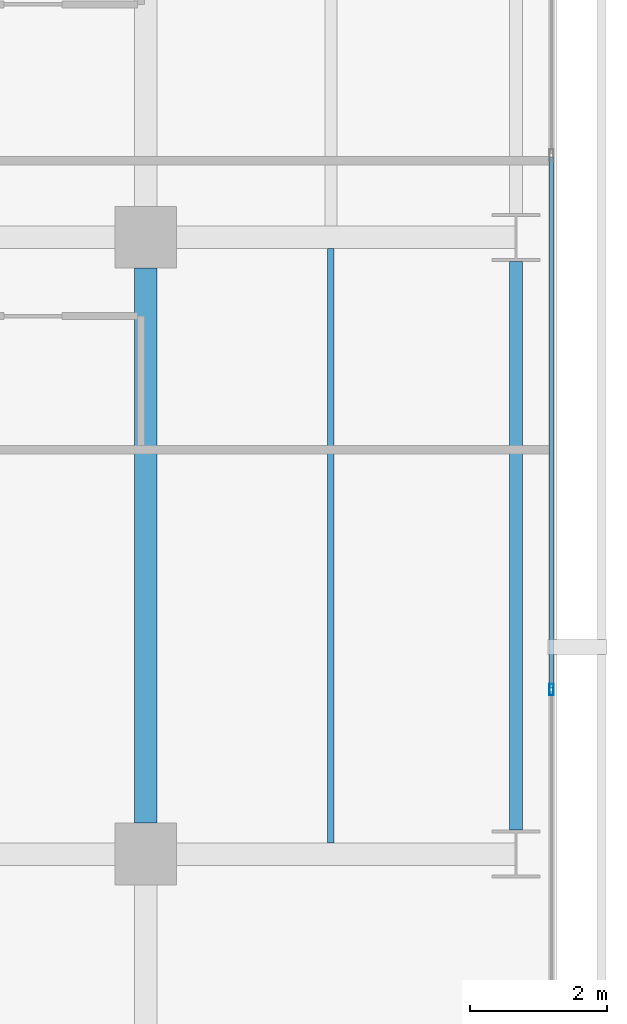
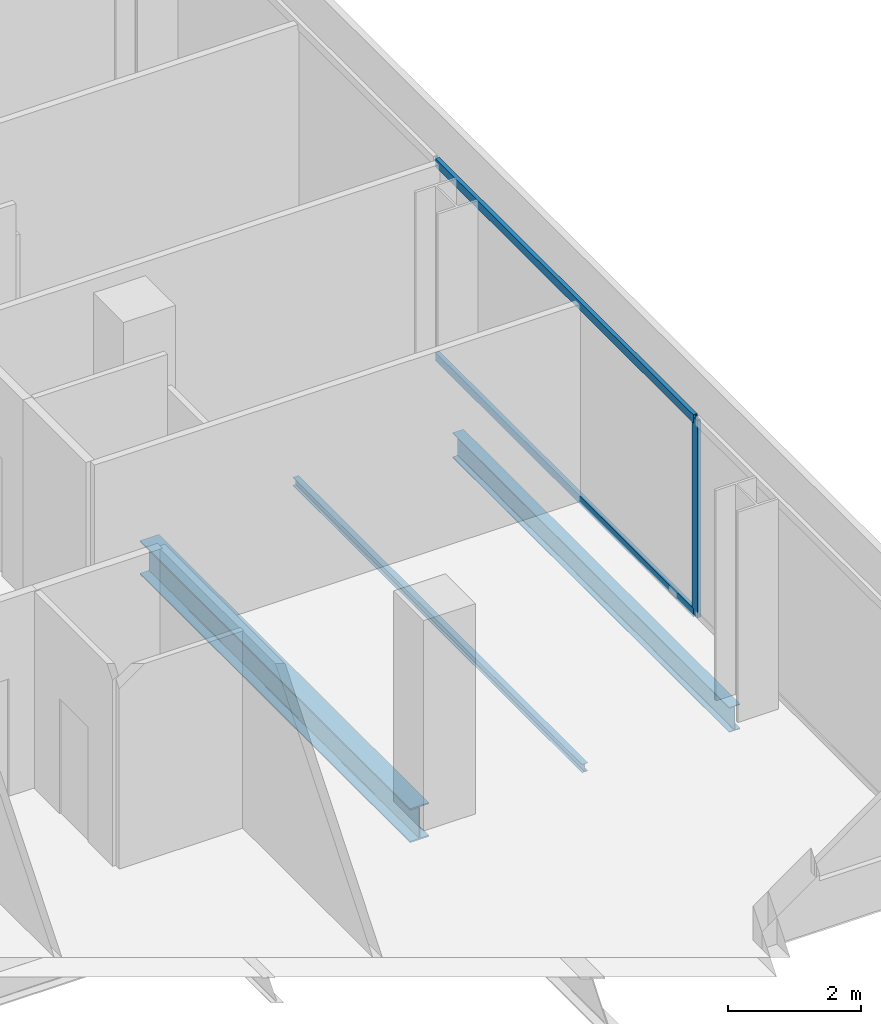
# One storey, part 17 of 40: 3 beams, 3 members, 1 element without a shape of its own.
"""IFC4 building model written with IfcOpenShell, lengths in metres."""

from ifc_helpers import new_model, si_unit, direction, frame, origin, origin_2d, place, context, subcontext, project, spatial, hollow_rectangle, i_section, extrude, material, layer, layer_set, material_profile, profile_set, type_object, element, aggregate, save


model = new_model("IFC4")

# Units and contexts
model_context = context("Model", 3, precision=1e-05, world=origin(), true_north=direction((0.0, 1.0)))
body_context = subcontext(model_context, "Body", "Model", "MODEL_VIEW")
ifc_project = project(units=[si_unit("LENGTHUNIT", "METRE"), si_unit("AREAUNIT", "SQUARE_METRE"), si_unit("VOLUMEUNIT", "CUBIC_METRE"), si_unit("PLANEANGLEUNIT", "RADIAN"), si_unit("MASSUNIT", "GRAM", prefix="KILO")], contexts=[model_context])

# Site, building, storey
site_placement = place(None, origin())
site = spatial("IfcSite", under=ifc_project, at=site_placement, CompositionType="ELEMENT")
building_placement = place(site_placement, origin())
building = spatial("IfcBuilding", under=site, at=building_placement, Name="Maruvema Waterfront Hotel and Observation Tower", CompositionType="ELEMENT")
storey_placement = place(building_placement, frame((0.0, 0.0, 38.5)))
storey = spatial("IfcBuildingStorey", under=building, at=storey_placement, Name="L08", CompositionType="ELEMENT", Elevation=38.5)

# Curtain wall, members
ifc_material_1 = material(Name="Anodised bronze aluminium and solar-control low-E IGU", Category="aluminium")
ifc_layer = layer(ifc_material_1, 0.159912109375, Name="Zone 1 Bronze Inner Thermal Curtain Wall System CW-02")
ifc_layer_set = layer_set([ifc_layer], Name="Anodised bronze aluminium and solar-control low-E IGU")
curtain_wall_type = type_object("IfcCurtainWallType", Name="Zone 1 Bronze Inner Thermal Curtain Wall System CW-02", PredefinedType="USERDEFINED", material=ifc_layer_set)
curtain_wall_placement = place(storey_placement, origin())
curtain_wall = element("IfcCurtainWall", 1, at=curtain_wall_placement, inside=storey, type_object=curtain_wall_type, Name="L08 Curtain Wall CW-L08-E", ObjectType="UNITISED CURTAIN WALL", PredefinedType="USERDEFINED")
ifc_material_2 = material(Name="Anodised architectural bronze aluminium", Category="aluminium")
ifc_material_profile_1 = material_profile(ifc_material_2, hollow_rectangle(XDim=0.070068359375, YDim=0.14990234375, WallThickness=0.00390625, at=origin_2d()), Name="ALU-T70x150")
ifc_profile_set_1 = profile_set([ifc_material_profile_1], Name="Anodised architectural bronze aluminium")
member_type_1 = type_object("IfcMemberType", Name="Curtain Wall Horizontal Transom ALU-T70x150", PredefinedType="USERDEFINED", material=ifc_profile_set_1)
member_1_placement = place(storey_placement, frame((64.719970703125, 11.429931640625, 0.030029296875), z_axis=(0.0, 1.0, 0.0), x_axis=(-1.0, 0.0, 0.0)))
member_1 = element("IfcMember", 2, at=member_1_placement, type_object=member_type_1, Name="CW-02 transom 2.1", ObjectType="TRANSOM", PredefinedType="USERDEFINED", context=body_context, shape_type="SweptSolid", body=[
    extrude(hollow_rectangle(XDim=0.070068359375, YDim=0.14990234375, WallThickness=0.00390625, at=origin_2d()), origin(), (0.0, 0.0, 1.0), 7.739990234375),
])
member_2_placement = place(storey_placement, frame((64.719970703125, 11.429931640625, 3.580078125), z_axis=(0.0, 1.0, 0.0), x_axis=(-1.0, 0.0, 0.0)))
member_2 = element("IfcMember", 3, at=member_2_placement, type_object=member_type_1, Name="CW-02 transom 2.2", ObjectType="TRANSOM", PredefinedType="USERDEFINED", context=body_context, shape_type="SweptSolid", body=[
    extrude(hollow_rectangle(XDim=0.070068359375, YDim=0.14990234375, WallThickness=0.00390625, at=origin_2d()), origin(), (0.0, 0.0, 1.0), 7.739990234375),
])
ifc_material_3 = material(Name="Anodised architectural bronze aluminium", Category="aluminium")
ifc_material_profile_2 = material_profile(ifc_material_3, hollow_rectangle(XDim=0.06494140625, YDim=0.1650390625, WallThickness=0.00390625, at=origin_2d()), Name="ALU-M65x165")
ifc_profile_set_2 = profile_set([ifc_material_profile_2], Name="Anodised architectural bronze aluminium")
member_type_2 = type_object("IfcMemberType", Name="Curtain Wall Primary Mullion ALU-M65x165", PredefinedType="MULLION", material=ifc_profile_set_2)
member_3_placement = place(storey_placement, frame((64.719970703125, 11.39990234375, 0.0), z_axis=(0.0, 0.0, 1.0), x_axis=(-1.0, 0.0, 0.0)))
member_3 = element("IfcMember", 4, at=member_3_placement, type_object=member_type_2, Name="CW-02 mullion 2", PredefinedType="MULLION", context=body_context, shape_type="SweptSolid", body=[
    extrude(hollow_rectangle(XDim=0.06494140625, YDim=0.1650390625, WallThickness=0.00390625, at=origin_2d()), origin(), (0.0, 0.0, 1.0), 3.610107421875),
])
aggregate(curtain_wall, [member_3, member_1, member_2])

# Beams
ifc_material_4 = material(Name="Steel ASTM A572 Grade 50", Category="steel")
ifc_material_profile_3 = material_profile(ifc_material_4, i_section(OverallWidth=0.18994140625, OverallDepth=0.45703125, WebThickness=0.009033203125, FlangeThickness=0.014404296875, FilletRadius=0.014892578125, at=origin_2d()), Name="W460x74.0")
ifc_profile_set_3 = profile_set([ifc_material_profile_3], Name="Steel ASTM A572 Grade 50")
beam_type_1 = type_object("IfcBeamType", Name="Perimeter Spandrel Beam W460x74.0", PredefinedType="SPANDREL", material=ifc_profile_set_3)
beam_1_placement = place(storey_placement, frame((64.199951171875, 9.35009765625, -0.468505859375), z_axis=(0.0, 1.0, 0.0), x_axis=(-1.0, 0.0, 0.0)))
element("IfcBeam", 5, at=beam_1_placement, inside=storey, type_object=beam_type_1, Name="L08 Floor Girder NS-33", PredefinedType="SPANDREL", context=body_context, shape_type="SweptSolid", body=[
    extrude(i_section(OverallWidth=0.18994140625, OverallDepth=0.45703125, WebThickness=0.009033203125, FlangeThickness=0.014404296875, FilletRadius=0.014892578125, at=origin_2d()), origin(), (0.0, 0.0, 1.0), 8.2998046875),
])
ifc_material_5 = material(Name="Steel ASTM A572 Grade 50", Category="steel")
ifc_material_profile_4 = material_profile(ifc_material_5, i_section(OverallWidth=0.326904296875, OverallDepth=0.6220703125, WebThickness=0.015380859375, FlangeThickness=0.0244140625, FilletRadius=0.01806640625, at=origin_2d()), Name="W610x195.0")
ifc_profile_set_4 = profile_set([ifc_material_profile_4], Name="Steel ASTM A572 Grade 50")
beam_type_2 = type_object("IfcBeamType", Name="Primary Floor Girder W610x195.0", PredefinedType="BEAM", material=ifc_profile_set_4)
beam_2_placement = place(storey_placement, frame((58.800048828125, 9.449951171875, -0.551025390625), z_axis=(0.0, 1.0, 0.0), x_axis=(-1.0, 0.0, 0.0)))
element("IfcBeam", 6, at=beam_2_placement, inside=storey, type_object=beam_type_2, Name="L08 Floor Girder NS-28", PredefinedType="BEAM", context=body_context, shape_type="SweptSolid", body=[
    extrude(i_section(OverallWidth=0.326904296875, OverallDepth=0.6220703125, WebThickness=0.015380859375, FlangeThickness=0.0244140625, FilletRadius=0.01806640625, at=origin_2d()), origin(), (0.0, 0.0, 1.0), 8.10009765625),
])
ifc_material_6 = material(Name="Steel ASTM A572 Grade 50", Category="steel")
ifc_material_profile_5 = material_profile(ifc_material_6, i_section(OverallWidth=0.10009765625, OverallDepth=0.153076171875, WebThickness=0.005859375, FlangeThickness=0.007080078125, FilletRadius=0.008056640625, at=origin_2d()), Name="W150x18.0")
ifc_profile_set_5 = profile_set([ifc_material_profile_5], Name="Steel ASTM A572 Grade 50")
beam_type_3 = type_object("IfcBeamType", Name="Secondary Floor Joist W150x18.0", PredefinedType="JOIST", material=ifc_profile_set_5)
beam_3_placement = place(storey_placement, frame((61.5, 9.16357421875, -0.31640625), z_axis=(0.0, 1.0, 0.0), x_axis=(-1.0, 0.0, 0.0)))
element("IfcBeam", 7, at=beam_3_placement, inside=storey, type_object=beam_type_3, Name="L08 Secondary Floor Joist JS-21", PredefinedType="JOIST", context=body_context, shape_type="SweptSolid", body=[
    extrude(i_section(OverallWidth=0.10009765625, OverallDepth=0.153076171875, WebThickness=0.005859375, FlangeThickness=0.007080078125, FilletRadius=0.008056640625, at=origin_2d()), origin(), (0.0, 0.0, 1.0), 8.6728515625),
])

save(model, "model.ifc")
